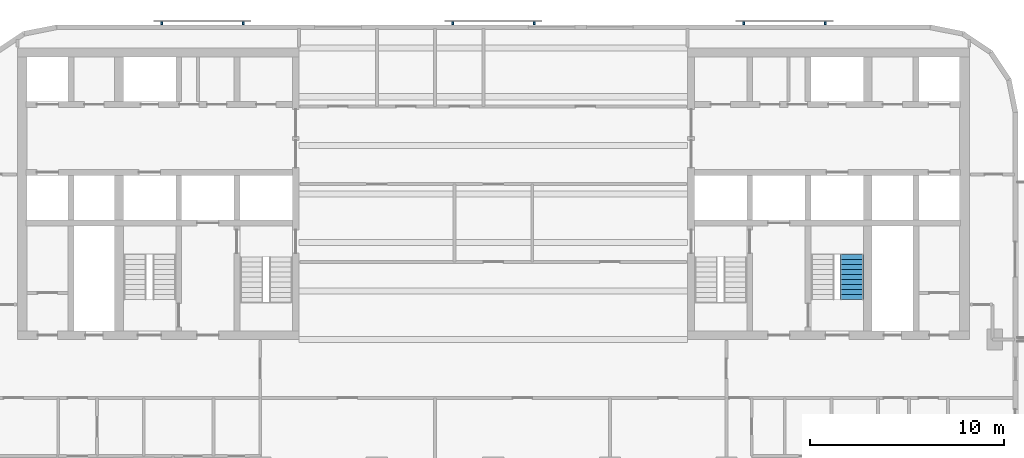
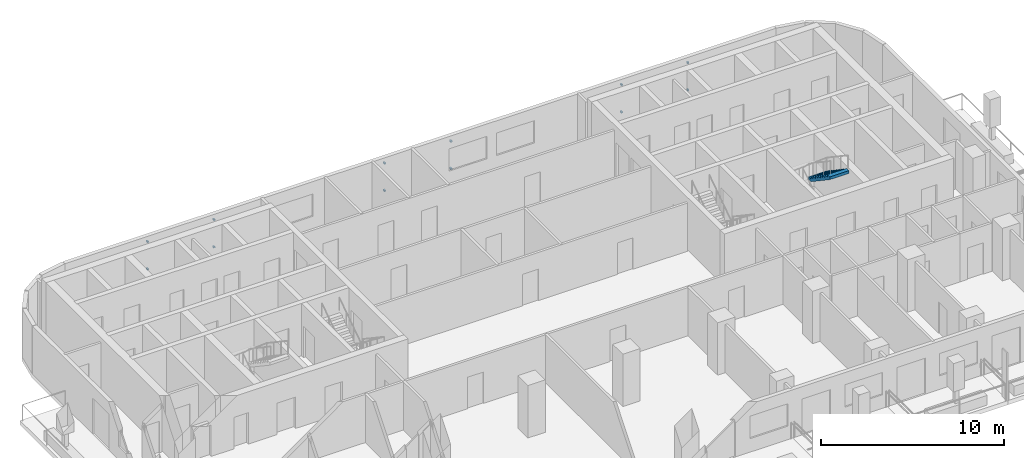
# One storey, part 8 of 11: 12 discrete accessories, 1 stair flight, 1 element without a shape of its own.
"""IFC4 building model written with IfcOpenShell, lengths in metres."""

from ifc_helpers import new_model, si_unit, direction, frame, origin, origin_2d, place, context, subcontext, project, spatial, polyline, rectangle, outline, extrude, material, type_object, element, aggregate, save


model = new_model("IFC4")

# Units and contexts
model_context = context("Model", 3, precision=1e-05, world=origin(), true_north=direction((0.0, 1.0)))
body_context = subcontext(model_context, "Body", "Model", "MODEL_VIEW")
ifc_project = project(units=[si_unit("LENGTHUNIT", "METRE"), si_unit("AREAUNIT", "SQUARE_METRE"), si_unit("VOLUMEUNIT", "CUBIC_METRE"), si_unit("PLANEANGLEUNIT", "RADIAN"), si_unit("MASSUNIT", "GRAM", prefix="KILO")], contexts=[model_context])

# Site, building, storey
site_placement = place(None, origin())
site = spatial("IfcSite", under=ifc_project, at=site_placement, CompositionType="ELEMENT")
building_placement = place(site_placement, origin())
building = spatial("IfcBuilding", under=site, at=building_placement, Name="Torana Hotel and Residences", CompositionType="ELEMENT")
storey_placement = place(building_placement, frame((0.0, 0.0, 225.60009765625)))
storey = spatial("IfcBuildingStorey", under=building, at=storey_placement, Name="L59", CompositionType="ELEMENT", Elevation=225.60009765625)

# Stair, stair flight
ifc_material_1 = material(Name="Concrete C40/50 precast", Category="concrete")
stair_type = type_object("IfcStairType", Name="STAIR ST4 HALF TURN 1200", PredefinedType="HALF_TURN_STAIR", material=ifc_material_1)
stair_placement = place(storey_placement, origin())
stair = element("IfcStair", 1, at=stair_placement, inside=storey, type_object=stair_type, Name="Stair ST4 L59", PredefinedType="HALF_TURN_STAIR")
ifc_material_2 = material(Name="Concrete C40/50 precast", Category="concrete")
stair_flight_type = type_object("IfcStairFlightType", Name="STAIR FLIGHT 1200 PRECAST", PredefinedType="STRAIGHT", material=ifc_material_2)
stair_flight_placement = place(storey_placement, frame((18.449951171875, -10.610107421875, 1.75), z_axis=(0.0, 0.0, 1.0), x_axis=(0.0, -1.0, 0.0)))
stair_flight = element("IfcStairFlight", 2, at=stair_flight_placement, type_object=stair_flight_type, Name="ST4 flight 2", NumberOfRisers=10, NumberOfTreads=9, PredefinedType="STRAIGHT", RiserHeight=0.175, TreadLength=0.26, context=body_context, shape_type="SweptSolid", body=[
    extrude(outline(polyline([(0.0, 0.0), (0.0, 0.175048828125), (0.260009765625, 0.175048828125), (0.260009765625, 0.35009765625), (0.52001953125, 0.35009765625), (0.52001953125, 0.52490234375), (0.780029296875, 0.52490234375), (0.780029296875, 0.699951171875), (1.0400390625, 0.699951171875), (1.0400390625, 0.875), (1.300048828125, 0.875), (1.300048828125, 1.050048828125), (1.56005859375, 1.050048828125), (1.56005859375, 1.22509765625), (1.820068359375, 1.22509765625), (1.820068359375, 1.39990234375), (2.080078125, 1.39990234375), (2.080078125, 1.574951171875), (2.340087890625, 1.574951171875), (2.340087890625, 1.75), (2.340087890625, 1.394287109375), (0.2685546875, 0.0), (0.0, 0.0)])), frame((0.0, 0.60009765625, 0.0), z_axis=(0.0, -1.0, 0.0), x_axis=(1.0, 0.0, 0.0)), (0.0, 0.0, 1.0), 1.199951171875),
])
aggregate(stair, [stair_flight])

# Discrete accessories
ifc_material_3 = material(Name="Steel S355", Category="steel")
discrete_accessory_type = type_object("IfcDiscreteAccessoryType", Name="SCREEN BRACKET 100", PredefinedType="BRACKET", material=ifc_material_3)
for number, where, z_axis, x_axis, name in (
    (3, (17.08349609375, 1.27490234375, 0.749755859375), (0.0, 0.0, 1.0), (-1.0, 0.0, 0.0), "Screen bracket L59"),
    (4, (17.08349609375, 1.27490234375, 2.56982421875), (0.0, 0.0, 1.0), (-1.0, 0.0, 0.0), "Screen bracket L59"),
    (5, (12.883544921875, 1.27490234375, 0.749755859375), (0.0, 0.0, 1.0), (-1.0, 0.0, 0.0), "Screen bracket L59"),
    (6, (12.883544921875, 1.27490234375, 2.56982421875), (0.0, 0.0, 1.0), (-1.0, 0.0, 0.0), "Screen bracket L59"),
    (7, (2.10009765625, 1.27490234375, 0.749755859375), (0.0, 0.0, 1.0), (-1.0, 0.0, 0.0), "Screen bracket L59"),
    (8, (2.10009765625, 1.27490234375, 2.56982421875), (0.0, 0.0, 1.0), (-1.0, 0.0, 0.0), "Screen bracket L59"),
    (9, (-2.10009765625, 1.27490234375, 0.749755859375), (0.0, 0.0, 1.0), (-1.0, 0.0, 0.0), "Screen bracket L59"),
    (10, (-2.10009765625, 1.27490234375, 2.56982421875), (0.0, 0.0, 1.0), (-1.0, 0.0, 0.0), "Screen bracket L59"),
    (11, (-12.883544921875, 1.27490234375, 0.749755859375), (0.0, 0.0, 1.0), (-1.0, 0.0, 0.0), "Screen bracket L59"),
    (12, (-12.883544921875, 1.27490234375, 2.56982421875), (0.0, 0.0, 1.0), (-1.0, 0.0, 0.0), "Screen bracket L59"),
    (13, (-17.08349609375, 1.27490234375, 0.749755859375), (0.0, 0.0, 1.0), (-1.0, 0.0, 0.0), "Screen bracket L59"),
    (14, (-17.08349609375, 1.27490234375, 2.56982421875), (0.0, 0.0, 1.0), (-1.0, 0.0, 0.0), "Screen bracket L59"),
):
    element("IfcDiscreteAccessory", number, at=place(storey_placement, frame(where, z_axis=z_axis, x_axis=x_axis)), inside=storey, type_object=discrete_accessory_type, Name=name, PredefinedType="BRACKET", context=body_context, shape_type="SweptSolid", body=[
        extrude(rectangle(XDim=0.10009765625, YDim=0.14990234375, at=origin_2d()), origin(), (0.0, 0.0, 1.0), 0.10009765625),
    ])

save(model, "model.ifc")
